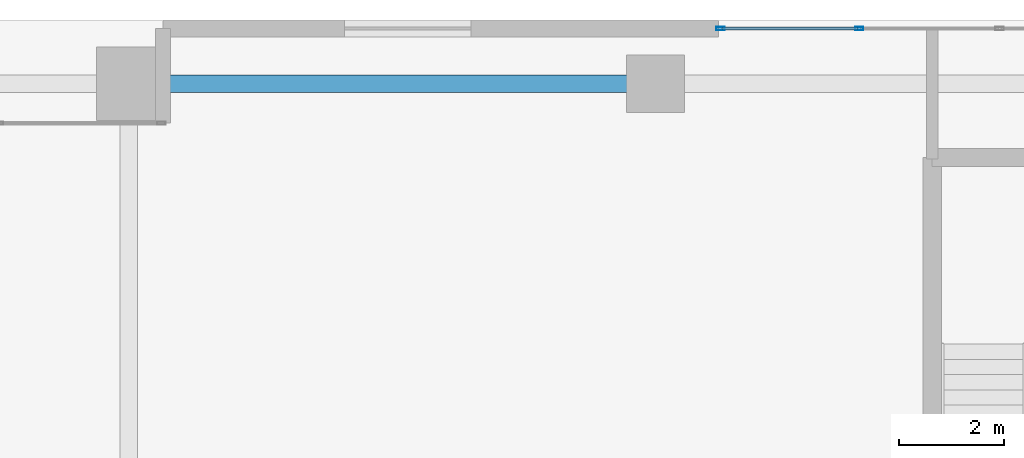
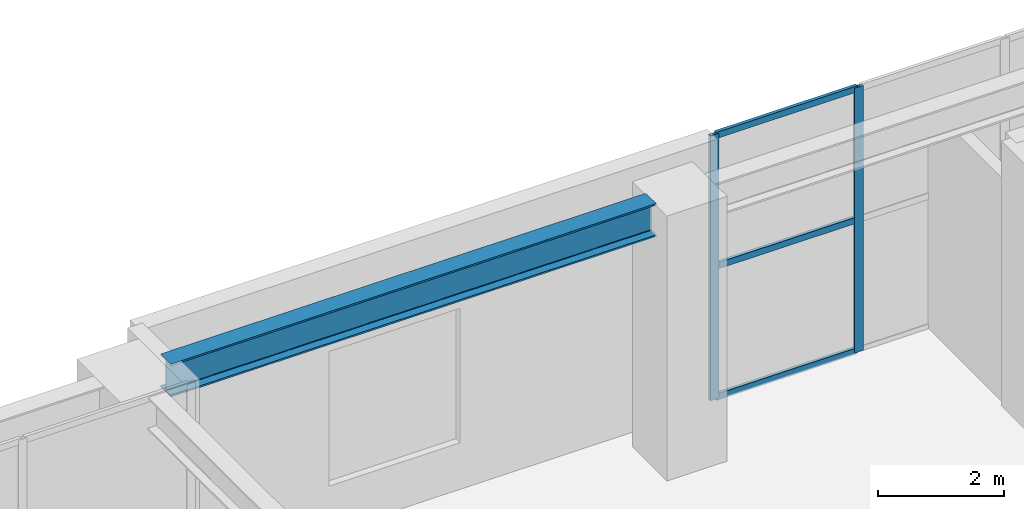
# One storey, part 17 of 28: 5 members, 1 beam, 1 element without a shape of its own.
"""IFC4 building model written with IfcOpenShell, lengths in metres."""

from ifc_helpers import new_model, si_unit, direction, frame, origin, origin_2d, place, context, subcontext, project, spatial, hollow_rectangle, i_section, extrude, material, layer, layer_set, material_profile, profile_set, type_object, element, aggregate, save


model = new_model("IFC4")

# Units and contexts
model_context = context("Model", 3, precision=1e-05, world=origin(), true_north=direction((0.0, 1.0)))
body_context = subcontext(model_context, "Body", "Model", "MODEL_VIEW")
ifc_project = project(units=[si_unit("LENGTHUNIT", "METRE"), si_unit("AREAUNIT", "SQUARE_METRE"), si_unit("VOLUMEUNIT", "CUBIC_METRE"), si_unit("PLANEANGLEUNIT", "RADIAN"), si_unit("MASSUNIT", "GRAM", prefix="KILO")], contexts=[model_context])

# Site, building, storey
site_placement = place(None, origin())
site = spatial("IfcSite", under=ifc_project, at=site_placement, CompositionType="ELEMENT")
building_placement = place(site_placement, origin())
building = spatial("IfcBuilding", under=site, at=building_placement, Name="Sarneth Arch Tower", CompositionType="ELEMENT")
storey_placement = place(building_placement, frame((0.0, 0.0, 6.0)))
storey = spatial("IfcBuildingStorey", under=building, at=storey_placement, Name="L01", CompositionType="ELEMENT", Elevation=6.0)

# Beam
ifc_material_1 = material(Name="Steel S355", Category="steel")
ifc_material_profile_1 = material_profile(ifc_material_1, i_section(OverallWidth=0.3291015625, OverallDepth=0.635009765625, WebThickness=0.017822265625, FlangeThickness=0.031005859375, FilletRadius=0.01904296875, at=origin_2d()), Name="W610x241")
ifc_profile_set_1 = profile_set([ifc_material_profile_1], Name="Steel S355")
beam_type = type_object("IfcBeamType", Name="BM-POD-610", PredefinedType="BEAM", material=ifc_profile_set_1)
beam_placement = place(storey_placement, frame((66.6044921875, 74.800048828125, 4.802490234375), z_axis=(1.0, 0.0, 0.0), x_axis=(0.0, 1.0, 0.0)))
element("IfcBeam", 1, at=beam_placement, inside=storey, type_object=beam_type, Name="L01 Podium PN girder 7", PredefinedType="BEAM", context=body_context, shape_type="SweptSolid", body=[
    extrude(i_section(OverallWidth=0.3291015625, OverallDepth=0.635009765625, WebThickness=0.017822265625, FlangeThickness=0.031005859375, FilletRadius=0.01904296875, at=origin_2d()), origin(), (0.0, 0.0, 1.0), 8.87548828125),
])

# Curtain wall, members
ifc_material_2 = material(Name="Anodised aluminium Type AA25 and solar-control low-e laminated IGU", Category="aluminium")
ifc_layer = layer(ifc_material_2, 0.179931640625)
ifc_layer_set = layer_set([ifc_layer], Name="Anodised aluminium Type AA25 and solar-control low-e laminated IGU")
curtain_wall_type = type_object("IfcCurtainWallType", Name="CW-PODIUM-CHAMF", PredefinedType="NOTDEFINED", material=ifc_layer_set)
curtain_wall_placement = place(storey_placement, origin())
curtain_wall = element("IfcCurtainWall", 2, at=curtain_wall_placement, inside=storey, type_object=curtain_wall_type, Name="L01 Podium bay curtain wall NE", PredefinedType="NOTDEFINED")
ifc_material_3 = material(Name="Anodised Aluminium 6063-T6", Category="aluminium")
ifc_material_profile_2 = material_profile(ifc_material_3, hollow_rectangle(XDim=0.06005859375, YDim=0.159912109375, WallThickness=0.00390625, at=origin_2d()), Name="AL-MULL-160x60x4")
ifc_profile_set_2 = profile_set([ifc_material_profile_2], Name="Anodised Aluminium 6063-T6")
member_type_1 = type_object("IfcMemberType", Name="CW-MULLION", PredefinedType="MULLION", material=ifc_profile_set_2)
member_1_placement = place(storey_placement, frame((79.86669921875, 75.85009765625, 0.0), z_axis=(0.0, 0.0, 1.0), x_axis=(0.0, -1.0, 0.0)))
member_1 = element("IfcMember", 3, at=member_1_placement, type_object=member_type_1, Name="CW-SYS-1 mullion 3", PredefinedType="MULLION", context=body_context, shape_type="SweptSolid", body=[
    extrude(hollow_rectangle(XDim=0.06005859375, YDim=0.159912109375, WallThickness=0.00390625, at=origin_2d()), origin(), (0.0, 0.0, 1.0), 5.1201171875),
])
member_2_placement = place(storey_placement, frame((77.22998046875, 75.85009765625, 0.0), z_axis=(0.0, 0.0, 1.0), x_axis=(0.0, -1.0, 0.0)))
member_2 = element("IfcMember", 4, at=member_2_placement, type_object=member_type_1, Name="CW-SYS-1 mullion 4", PredefinedType="MULLION", context=body_context, shape_type="SweptSolid", body=[
    extrude(hollow_rectangle(XDim=0.06005859375, YDim=0.159912109375, WallThickness=0.00390625, at=origin_2d()), origin(), (0.0, 0.0, 1.0), 5.1201171875),
])
ifc_material_4 = material(Name="Anodised Aluminium 6063-T6", Category="aluminium")
ifc_material_profile_3 = material_profile(ifc_material_4, hollow_rectangle(XDim=0.06005859375, YDim=0.1201171875, WallThickness=0.00390625, at=origin_2d()), Name="AL-TRAN-120x60x4")
ifc_profile_set_3 = profile_set([ifc_material_profile_3], Name="Anodised Aluminium 6063-T6")
member_type_2 = type_object("IfcMemberType", Name="CW-TRANSOM", PredefinedType="USERDEFINED", material=ifc_profile_set_3)
member_3_placement = place(storey_placement, frame((79.836669921875, 75.85009765625, 0.030029296875), z_axis=(-1.0, 0.0, 0.0), x_axis=(0.0, -1.0, 0.0)))
member_3 = element("IfcMember", 5, at=member_3_placement, type_object=member_type_2, Name="CW-SYS-1 transom 3.1", ObjectType="TRANSOM", PredefinedType="USERDEFINED", context=body_context, shape_type="SweptSolid", body=[
    extrude(hollow_rectangle(XDim=0.06005859375, YDim=0.1201171875, WallThickness=0.00390625, at=origin_2d()), origin(), (0.0, 0.0, 1.0), 2.57666015625),
])
member_4_placement = place(storey_placement, frame((79.836669921875, 75.85009765625, 2.56005859375), z_axis=(-1.0, 0.0, 0.0), x_axis=(0.0, -1.0, 0.0)))
member_4 = element("IfcMember", 6, at=member_4_placement, type_object=member_type_2, Name="CW-SYS-1 transom 3.2", ObjectType="TRANSOM", PredefinedType="USERDEFINED", context=body_context, shape_type="SweptSolid", body=[
    extrude(hollow_rectangle(XDim=0.06005859375, YDim=0.1201171875, WallThickness=0.00390625, at=origin_2d()), origin(), (0.0, 0.0, 1.0), 2.57666015625),
])
member_5_placement = place(storey_placement, frame((79.836669921875, 75.85009765625, 5.090087890625), z_axis=(-1.0, 0.0, 0.0), x_axis=(0.0, -1.0, 0.0)))
member_5 = element("IfcMember", 7, at=member_5_placement, type_object=member_type_2, Name="CW-SYS-1 transom 3.3", ObjectType="TRANSOM", PredefinedType="USERDEFINED", context=body_context, shape_type="SweptSolid", body=[
    extrude(hollow_rectangle(XDim=0.06005859375, YDim=0.1201171875, WallThickness=0.00390625, at=origin_2d()), origin(), (0.0, 0.0, 1.0), 2.57666015625),
])
aggregate(curtain_wall, [member_1, member_2, member_3, member_4, member_5])

save(model, "model.ifc")
